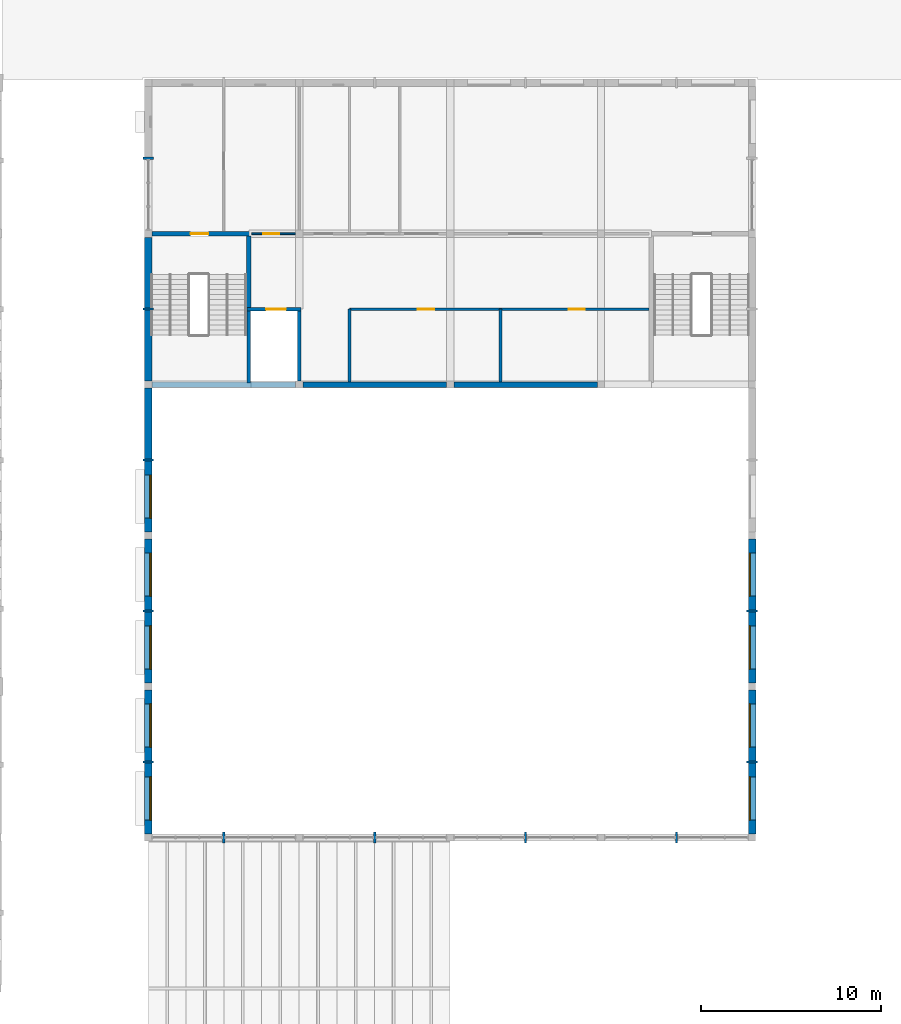
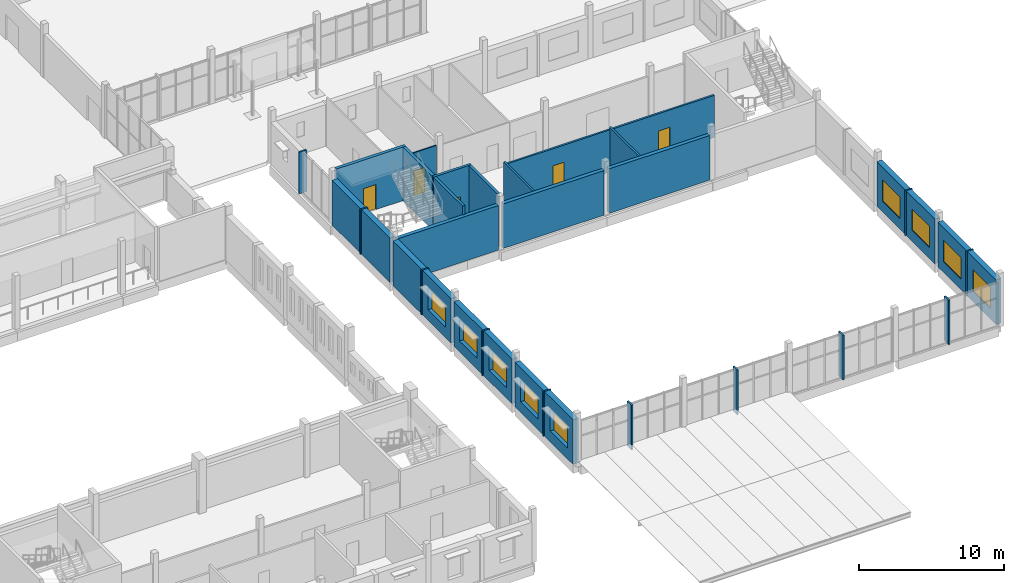
# One storey, part 45 of 60: 35 walls, 9 windows, 5 doors, 14 openings.
"""IFC4 building model written with IfcOpenShell, lengths in metres."""

from ifc_helpers import new_model, si_unit, direction, frame, frame_2d, origin, place, context, subcontext, project, spatial, rectangle, extrude, material, layer, layer_set, type_object, element, fill, save


model = new_model("IFC4")

# Units and contexts
model_context = context("Model", 3, precision=1e-05, world=origin(), true_north=direction((0.0, 1.0)))
body_context = subcontext(model_context, "Body", "Model", "MODEL_VIEW")
ifc_project = project(units=[si_unit("LENGTHUNIT", "METRE"), si_unit("AREAUNIT", "SQUARE_METRE"), si_unit("VOLUMEUNIT", "CUBIC_METRE"), si_unit("PLANEANGLEUNIT", "RADIAN"), si_unit("MASSUNIT", "GRAM", prefix="KILO")], contexts=[model_context])

# Site, building, storey
site_placement = place(None, origin())
site = spatial("IfcSite", under=ifc_project, at=site_placement, CompositionType="ELEMENT")
building_placement = place(site_placement, origin())
building = spatial("IfcBuilding", under=site, at=building_placement, Name="Fescue Hill Polytechnic", CompositionType="ELEMENT")
storey_placement = place(building_placement, frame((0.0, 0.0, 4.5)))
storey = spatial("IfcBuildingStorey", under=building, at=storey_placement, Name="L01", CompositionType="ELEMENT", Elevation=4.5)

# Wall, opening, door
ifc_material_1 = material(Name="Concrete 40 MPa", Category="concrete")
ifc_layer_1 = layer(ifc_material_1, 0.25)
ifc_layer_set_1 = layer_set([ifc_layer_1], Name="Concrete 40 MPa")
wall_type_1 = type_object("IfcWallType", Name="Core wall 250", PredefinedType="SHEAR", material=ifc_layer_set_1)
wall_1_placement = place(storey_placement, frame((126.199951171875, 42.0, 0.0), z_axis=(0.0, 0.0, 1.0), x_axis=(1.0, 0.0, 0.0)))
wall_1 = element("IfcWall", 1, at=wall_1_placement, inside=storey, type_object=wall_type_1, Name="CW-L01-ST-V3-1-21", PredefinedType="SHEAR", context=body_context, shape_type="SweptSolid", body=[
    extrude(rectangle(XDim=5.525146484375, YDim=0.25, at=frame_2d((2.7626953125, 0.0))), origin(), (0.0, 0.0, 1.0), 4.5),
])
opening_1_placement = place(wall_1_placement, frame((2.14990234375, 0.0, 0.0)))
opening_1 = element("IfcOpeningElement", 2, at=opening_1_placement, cuts=wall_1, Name="Opening D1086", PredefinedType="OPENING", context=body_context, shape_type="SweptSolid", body=[
    extrude(rectangle(XDim=1.0, YDim=2.10009765625, at=frame_2d((0.5, 1.050048828125))), frame((0.0, 0.135009765625, 0.0), z_axis=(0.0, -1.0, 0.0), x_axis=(1.0, 0.0, 0.0)), (0.0, 0.0, 1.0), 0.27001953125),
])
ifc_material_2 = material(Name="Steel fire door", Category="steel")
door_type_1 = type_object("IfcDoorType", Name="Door single swing 1000x2100 stair fire rated", OperationType="NOTDEFINED", PredefinedType="DOOR", material=ifc_material_2)
door_1_placement = place(opening_1_placement, origin())
door_1 = element("IfcDoor", 3, at=door_1_placement, inside=storey, type_object=door_type_1, Name="L01 ST-V3-1 stair door", OperationType="SINGLE_SWING_LEFT", OverallHeight=2.10009765625, OverallWidth=1.0, PredefinedType="DOOR", context=body_context, shape_type="SweptSolid", body=[
    extrude(rectangle(XDim=1.0, YDim=2.10009765625, at=frame_2d((0.5, 1.050048828125))), frame((0.0, 0.02490234375, 0.0), z_axis=(0.0, -1.0, 0.0), x_axis=(1.0, 0.0, 0.0)), (0.0, 0.0, 1.0), 0.050048828125),
])
fill(opening_1, door_1)

# Wall
wall_2_placement = place(storey_placement, frame((131.60009765625, 37.81005859375, 0.0), z_axis=(0.0, 0.0, 1.0), x_axis=(0.0, 1.0, 0.0)))
element("IfcWall", 4, at=wall_2_placement, inside=storey, type_object=wall_type_1, Name="CW-L01-ST-V3-1-41", PredefinedType="SHEAR", context=body_context, shape_type="SweptSolid", body=[
    extrude(rectangle(XDim=4.06494140625, YDim=0.25, at=frame_2d((2.032470703125, 0.0))), origin(), (0.0, 0.0, 1.0), 4.5),
])

# Wall, openings, doors
ifc_material_3 = material(Name="Gypsum board partition")
ifc_layer_2 = layer(ifc_material_3, 0.14990234375)
ifc_layer_set_2 = layer_set([ifc_layer_2], Name="Gypsum board partition")
wall_type_2 = type_object("IfcWallType", Name="Corridor wall 150 EI 45", PredefinedType="PARTITIONING", material=ifc_layer_set_2)
wall_3_placement = place(storey_placement, frame((137.199951171875, 37.800048828125, 0.0), z_axis=(0.0, 0.0, 1.0), x_axis=(1.0, 0.0, 0.0)))
wall_3 = element("IfcWall", 5, at=wall_3_placement, inside=storey, type_object=wall_type_2, Name="IW-L01-022", PredefinedType="PARTITIONING", context=body_context, shape_type="SweptSolid", body=[
    extrude(rectangle(XDim=16.650146484375, YDim=0.14990234375, at=frame_2d((8.3251953125, 0.0))), origin(), (0.0, 0.0, 1.0), 3.550048828125),
])
opening_2_placement = place(wall_3_placement, frame((3.800048828125, 0.0, 0.0)))
opening_2 = element("IfcOpeningElement", 6, at=opening_2_placement, cuts=wall_3, Name="Opening D1045", PredefinedType="OPENING", context=body_context, shape_type="SweptSolid", body=[
    extrude(rectangle(XDim=0.89990234375, YDim=2.10009765625, at=frame_2d((0.449951171875, 1.050048828125))), frame((0.0, 0.0849609375, 0.0), z_axis=(0.0, -1.0, 0.0), x_axis=(1.0, 0.0, 0.0)), (0.0, 0.0, 1.0), 0.169921875),
])
opening_3_placement = place(wall_3_placement, frame((12.199951171875, 0.0, 0.0)))
opening_3 = element("IfcOpeningElement", 7, at=opening_3_placement, cuts=wall_3, Name="Opening D1046", PredefinedType="OPENING", context=body_context, shape_type="SweptSolid", body=[
    extrude(rectangle(XDim=0.89990234375, YDim=2.10009765625, at=frame_2d((0.449951171875, 1.050048828125))), frame((0.0, 0.0849609375, 0.0), z_axis=(0.0, -1.0, 0.0), x_axis=(1.0, 0.0, 0.0)), (0.0, 0.0, 1.0), 0.169921875),
])
ifc_material_4 = material(Name="Timber", Category="wood")
door_type_2 = type_object("IfcDoorType", Name="Door single swing 900x2100 FD30S", OperationType="SINGLE_SWING_LEFT", PredefinedType="DOOR", material=ifc_material_4)
door_2_placement = place(opening_2_placement, origin())
door_2 = element("IfcDoor", 8, at=door_2_placement, inside=storey, type_object=door_type_2, Name="Door D1045", OperationType="SINGLE_SWING_LEFT", OverallHeight=2.10009765625, OverallWidth=0.89990234375, PredefinedType="DOOR", context=body_context, shape_type="SweptSolid", body=[
    extrude(rectangle(XDim=0.89990234375, YDim=2.10009765625, at=frame_2d((0.449951171875, 1.050048828125))), frame((0.0, 0.02490234375, 0.0), z_axis=(0.0, -1.0, 0.0), x_axis=(1.0, 0.0, 0.0)), (0.0, 0.0, 1.0), 0.050048828125),
])
fill(opening_2, door_2)
door_3_placement = place(opening_3_placement, origin())
door_3 = element("IfcDoor", 9, at=door_3_placement, inside=storey, type_object=door_type_2, Name="Door D1046", OperationType="SINGLE_SWING_RIGHT", OverallHeight=2.10009765625, OverallWidth=0.89990234375, PredefinedType="DOOR", context=body_context, shape_type="SweptSolid", body=[
    extrude(rectangle(XDim=0.89990234375, YDim=2.10009765625, at=frame_2d((0.449951171875, 1.050048828125))), frame((0.0, 0.02490234375, 0.0), z_axis=(0.0, -1.0, 0.0), x_axis=(1.0, 0.0, 0.0)), (0.0, 0.0, 1.0), 0.050048828125),
])
fill(opening_3, door_3)

# Wall
ifc_material_5 = material(Name="Clay brick masonry", Category="masonry")
ifc_layer_3 = layer(ifc_material_5, 0.419921875)
ifc_layer_set_3 = layer_set([ifc_layer_3], Name="Clay brick masonry")
wall_type_3 = type_object("IfcWallType", Name="Exterior wall buff-red brick cavity 420", PredefinedType="SOLIDWALL", material=ifc_layer_set_3)
wall_4_placement = place(storey_placement, frame((126.0, 33.39990234375, 0.0), z_axis=(0.0, 0.0, 1.0), x_axis=(0.0, -1.0, 0.0)))
element("IfcWall", 10, at=wall_4_placement, inside=storey, type_object=wall_type_3, Name="EW-L01-V3-21", PredefinedType="SOLIDWALL", context=body_context, shape_type="SweptSolid", body=[
    extrude(rectangle(XDim=3.93994140625, YDim=0.419921875, at=frame_2d((1.969970703125, 0.0))), origin(), (0.0, 0.0, 1.0), 3.75),
])

# Wall, opening, window
wall_5_placement = place(storey_placement, frame((126.0, 29.340087890625, 0.0), z_axis=(0.0, 0.0, 1.0), x_axis=(0.0, -1.0, 0.0)))
wall_5 = element("IfcWall", 11, at=wall_5_placement, inside=storey, type_object=wall_type_3, Name="EW-L01-V3-22", PredefinedType="SOLIDWALL", context=body_context, shape_type="SweptSolid", body=[
    extrude(rectangle(XDim=3.940185546875, YDim=0.419921875, at=frame_2d((1.97021484375, 0.0))), origin(), (0.0, 0.0, 1.0), 3.75),
])
opening_4_placement = place(wall_5_placement, frame((0.77001953125, 0.0, 0.89990234375)))
opening_4 = element("IfcOpeningElement", 12, at=opening_4_placement, cuts=wall_5, Name="Opening W8", PredefinedType="OPENING", context=body_context, shape_type="SweptSolid", body=[
    extrude(rectangle(XDim=2.39990234375, YDim=1.800048828125, at=frame_2d((1.199951171875, 0.89990234375))), frame((0.0, 0.219970703125, 0.0), z_axis=(0.0, -1.0, 0.0), x_axis=(1.0, 0.0, 0.0)), (0.0, 0.0, 1.0), 0.43994140625),
])
ifc_material_6 = material(Name="Powder-coated aluminium and glass", Category="aluminium")
window_type = type_object("IfcWindowType", Name="Window union 2400x1800", PartitioningType="TRIPLE_PANEL_VERTICAL", PredefinedType="WINDOW", material=ifc_material_6)
window_1_placement = place(opening_4_placement, origin())
window_1 = element("IfcWindow", 13, at=window_1_placement, inside=storey, type_object=window_type, Name="WN-L01-V3-10", OverallHeight=1.800048828125, OverallWidth=2.39990234375, PartitioningType="SINGLE_PANEL", PredefinedType="WINDOW", context=body_context, shape_type="SweptSolid", body=[
    extrude(rectangle(XDim=2.39990234375, YDim=1.800048828125, at=frame_2d((1.199951171875, 0.89990234375))), frame((0.0, 0.150146484375, 0.0), z_axis=(0.0, -1.0, 0.0), x_axis=(1.0, 0.0, 0.0)), (0.0, 0.0, 1.0), 0.06005859375),
])
fill(opening_4, window_1)

wall_6_placement = place(storey_placement, frame((126.0, 25.0, 0.0), z_axis=(0.0, 0.0, 1.0), x_axis=(0.0, -1.0, 0.0)))
wall_6 = element("IfcWall", 14, at=wall_6_placement, inside=storey, type_object=wall_type_3, Name="EW-L01-V3-23", PredefinedType="SOLIDWALL", context=body_context, shape_type="SweptSolid", body=[
    extrude(rectangle(XDim=3.93994140625, YDim=0.419921875, at=frame_2d((1.969970703125, 0.0))), origin(), (0.0, 0.0, 1.0), 3.75),
])
opening_5_placement = place(wall_6_placement, frame((0.77001953125, 0.0, 0.89990234375)))
opening_5 = element("IfcOpeningElement", 15, at=opening_5_placement, cuts=wall_6, Name="Opening W8", PredefinedType="OPENING", context=body_context, shape_type="SweptSolid", body=[
    extrude(rectangle(XDim=2.39990234375, YDim=1.800048828125, at=frame_2d((1.199951171875, 0.89990234375))), frame((0.0, 0.219970703125, 0.0), z_axis=(0.0, -1.0, 0.0), x_axis=(1.0, 0.0, 0.0)), (0.0, 0.0, 1.0), 0.43994140625),
])
window_2_placement = place(opening_5_placement, origin())
window_2 = element("IfcWindow", 16, at=window_2_placement, inside=storey, type_object=window_type, Name="WN-L01-V3-11", OverallHeight=1.800048828125, OverallWidth=2.39990234375, PartitioningType="SINGLE_PANEL", PredefinedType="WINDOW", context=body_context, shape_type="SweptSolid", body=[
    extrude(rectangle(XDim=2.39990234375, YDim=1.800048828125, at=frame_2d((1.199951171875, 0.89990234375))), frame((0.0, 0.150146484375, 0.0), z_axis=(0.0, -1.0, 0.0), x_axis=(1.0, 0.0, 0.0)), (0.0, 0.0, 1.0), 0.06005859375),
])
fill(opening_5, window_2)

wall_7_placement = place(storey_placement, frame((126.0, 20.93994140625, 0.0), z_axis=(0.0, 0.0, 1.0), x_axis=(0.0, -1.0, 0.0)))
wall_7 = element("IfcWall", 17, at=wall_7_placement, inside=storey, type_object=wall_type_3, Name="EW-L01-V3-24", PredefinedType="SOLIDWALL", context=body_context, shape_type="SweptSolid", body=[
    extrude(rectangle(XDim=3.93994140625, YDim=0.419921875, at=frame_2d((1.969970703125, 0.0))), origin(), (0.0, 0.0, 1.0), 3.75),
])
opening_6_placement = place(wall_7_placement, frame((0.77001953125, 0.0, 0.89990234375)))
opening_6 = element("IfcOpeningElement", 18, at=opening_6_placement, cuts=wall_7, Name="Opening W8", PredefinedType="OPENING", context=body_context, shape_type="SweptSolid", body=[
    extrude(rectangle(XDim=2.39990234375, YDim=1.800048828125, at=frame_2d((1.199951171875, 0.89990234375))), frame((0.0, 0.219970703125, 0.0), z_axis=(0.0, -1.0, 0.0), x_axis=(1.0, 0.0, 0.0)), (0.0, 0.0, 1.0), 0.43994140625),
])
window_3_placement = place(opening_6_placement, origin())
window_3 = element("IfcWindow", 19, at=window_3_placement, inside=storey, type_object=window_type, Name="WN-L01-V3-12", OverallHeight=1.800048828125, OverallWidth=2.39990234375, PartitioningType="SINGLE_PANEL", PredefinedType="WINDOW", context=body_context, shape_type="SweptSolid", body=[
    extrude(rectangle(XDim=2.39990234375, YDim=1.800048828125, at=frame_2d((1.199951171875, 0.89990234375))), frame((0.0, 0.150146484375, 0.0), z_axis=(0.0, -1.0, 0.0), x_axis=(1.0, 0.0, 0.0)), (0.0, 0.0, 1.0), 0.06005859375),
])
fill(opening_6, window_3)

wall_8_placement = place(storey_placement, frame((126.0, 16.60009765625, 0.0), z_axis=(0.0, 0.0, 1.0), x_axis=(0.0, -1.0, 0.0)))
wall_8 = element("IfcWall", 20, at=wall_8_placement, inside=storey, type_object=wall_type_3, Name="EW-L01-V3-25", PredefinedType="SOLIDWALL", context=body_context, shape_type="SweptSolid", body=[
    extrude(rectangle(XDim=3.940185546875, YDim=0.419921875, at=frame_2d((1.97021484375, 0.0))), origin(), (0.0, 0.0, 1.0), 3.75),
])
opening_7_placement = place(wall_8_placement, frame((0.77001953125, 0.0, 0.89990234375)))
opening_7 = element("IfcOpeningElement", 21, at=opening_7_placement, cuts=wall_8, Name="Opening W8", PredefinedType="OPENING", context=body_context, shape_type="SweptSolid", body=[
    extrude(rectangle(XDim=2.39990234375, YDim=1.800048828125, at=frame_2d((1.199951171875, 0.89990234375))), frame((0.0, 0.219970703125, 0.0), z_axis=(0.0, -1.0, 0.0), x_axis=(1.0, 0.0, 0.0)), (0.0, 0.0, 1.0), 0.43994140625),
])
window_4_placement = place(opening_7_placement, origin())
window_4 = element("IfcWindow", 22, at=window_4_placement, inside=storey, type_object=window_type, Name="WN-L01-V3-13", OverallHeight=1.800048828125, OverallWidth=2.39990234375, PartitioningType="SINGLE_PANEL", PredefinedType="WINDOW", context=body_context, shape_type="SweptSolid", body=[
    extrude(rectangle(XDim=2.39990234375, YDim=1.800048828125, at=frame_2d((1.199951171875, 0.89990234375))), frame((0.0, 0.150146484375, 0.0), z_axis=(0.0, -1.0, 0.0), x_axis=(1.0, 0.0, 0.0)), (0.0, 0.0, 1.0), 0.06005859375),
])
fill(opening_7, window_4)

wall_9_placement = place(storey_placement, frame((126.0, 12.5400390625, 0.0), z_axis=(0.0, 0.0, 1.0), x_axis=(0.0, -1.0, 0.0)))
wall_9 = element("IfcWall", 23, at=wall_9_placement, inside=storey, type_object=wall_type_3, Name="EW-L01-V3-26", PredefinedType="SOLIDWALL", context=body_context, shape_type="SweptSolid", body=[
    extrude(rectangle(XDim=3.93994140625, YDim=0.419921875, at=frame_2d((1.969970703125, 0.0))), origin(), (0.0, 0.0, 1.0), 3.75),
])
opening_8_placement = place(wall_9_placement, frame((0.77001953125, 0.0, 0.89990234375)))
opening_8 = element("IfcOpeningElement", 24, at=opening_8_placement, cuts=wall_9, Name="Opening W8", PredefinedType="OPENING", context=body_context, shape_type="SweptSolid", body=[
    extrude(rectangle(XDim=2.39990234375, YDim=1.800048828125, at=frame_2d((1.199951171875, 0.89990234375))), frame((0.0, 0.219970703125, 0.0), z_axis=(0.0, -1.0, 0.0), x_axis=(1.0, 0.0, 0.0)), (0.0, 0.0, 1.0), 0.43994140625),
])
window_5_placement = place(opening_8_placement, origin())
window_5 = element("IfcWindow", 25, at=window_5_placement, inside=storey, type_object=window_type, Name="WN-L01-V3-14", OverallHeight=1.800048828125, OverallWidth=2.39990234375, PartitioningType="SINGLE_PANEL", PredefinedType="WINDOW", context=body_context, shape_type="SweptSolid", body=[
    extrude(rectangle(XDim=2.39990234375, YDim=1.800048828125, at=frame_2d((1.199951171875, 0.89990234375))), frame((0.0, 0.150146484375, 0.0), z_axis=(0.0, -1.0, 0.0), x_axis=(1.0, 0.0, 0.0)), (0.0, 0.0, 1.0), 0.06005859375),
])
fill(opening_8, window_5)

wall_10_placement = place(storey_placement, frame((159.60009765625, 8.60009765625, 0.0), z_axis=(0.0, 0.0, 1.0), x_axis=(0.0, 1.0, 0.0)))
wall_10 = element("IfcWall", 26, at=wall_10_placement, inside=storey, type_object=wall_type_3, Name="EW-L01-V3-27", PredefinedType="SOLIDWALL", context=body_context, shape_type="SweptSolid", body=[
    extrude(rectangle(XDim=3.93994140625, YDim=0.419921875, at=frame_2d((1.969970703125, 0.0))), origin(), (0.0, 0.0, 1.0), 3.75),
])
opening_9_placement = place(wall_10_placement, frame((0.77001953125, 0.0, 0.89990234375)))
opening_9 = element("IfcOpeningElement", 27, at=opening_9_placement, cuts=wall_10, Name="Opening W8", PredefinedType="OPENING", context=body_context, shape_type="SweptSolid", body=[
    extrude(rectangle(XDim=2.39990234375, YDim=1.800048828125, at=frame_2d((1.199951171875, 0.89990234375))), frame((0.0, 0.219970703125, 0.0), z_axis=(0.0, -1.0, 0.0), x_axis=(1.0, 0.0, 0.0)), (0.0, 0.0, 1.0), 0.43994140625),
])
window_6_placement = place(opening_9_placement, origin())
window_6 = element("IfcWindow", 28, at=window_6_placement, inside=storey, type_object=window_type, Name="WN-L01-V3-15", OverallHeight=1.800048828125, OverallWidth=2.39990234375, PartitioningType="SINGLE_PANEL", PredefinedType="WINDOW", context=body_context, shape_type="SweptSolid", body=[
    extrude(rectangle(XDim=2.39990234375, YDim=1.800048828125, at=frame_2d((1.199951171875, 0.89990234375))), frame((0.0, 0.150146484375, 0.0), z_axis=(0.0, -1.0, 0.0), x_axis=(1.0, 0.0, 0.0)), (0.0, 0.0, 1.0), 0.06005859375),
])
fill(opening_9, window_6)

wall_11_placement = place(storey_placement, frame((159.60009765625, 12.659912109375, 0.0), z_axis=(0.0, 0.0, 1.0), x_axis=(0.0, 1.0, 0.0)))
wall_11 = element("IfcWall", 29, at=wall_11_placement, inside=storey, type_object=wall_type_3, Name="EW-L01-V3-28", PredefinedType="SOLIDWALL", context=body_context, shape_type="SweptSolid", body=[
    extrude(rectangle(XDim=3.940185546875, YDim=0.419921875, at=frame_2d((1.97021484375, 0.0))), origin(), (0.0, 0.0, 1.0), 3.75),
])
opening_10_placement = place(wall_11_placement, frame((0.77001953125, 0.0, 0.89990234375)))
opening_10 = element("IfcOpeningElement", 30, at=opening_10_placement, cuts=wall_11, Name="Opening W8", PredefinedType="OPENING", context=body_context, shape_type="SweptSolid", body=[
    extrude(rectangle(XDim=2.39990234375, YDim=1.800048828125, at=frame_2d((1.199951171875, 0.89990234375))), frame((0.0, 0.219970703125, 0.0), z_axis=(0.0, -1.0, 0.0), x_axis=(1.0, 0.0, 0.0)), (0.0, 0.0, 1.0), 0.43994140625),
])
window_7_placement = place(opening_10_placement, origin())
window_7 = element("IfcWindow", 31, at=window_7_placement, inside=storey, type_object=window_type, Name="WN-L01-V3-16", OverallHeight=1.800048828125, OverallWidth=2.39990234375, PartitioningType="SINGLE_PANEL", PredefinedType="WINDOW", context=body_context, shape_type="SweptSolid", body=[
    extrude(rectangle(XDim=2.39990234375, YDim=1.800048828125, at=frame_2d((1.199951171875, 0.89990234375))), frame((0.0, 0.150146484375, 0.0), z_axis=(0.0, -1.0, 0.0), x_axis=(1.0, 0.0, 0.0)), (0.0, 0.0, 1.0), 0.06005859375),
])
fill(opening_10, window_7)

wall_12_placement = place(storey_placement, frame((159.60009765625, 17.0, 0.0), z_axis=(0.0, 0.0, 1.0), x_axis=(0.0, 1.0, 0.0)))
wall_12 = element("IfcWall", 32, at=wall_12_placement, inside=storey, type_object=wall_type_3, Name="EW-L01-V3-29", PredefinedType="SOLIDWALL", context=body_context, shape_type="SweptSolid", body=[
    extrude(rectangle(XDim=3.93994140625, YDim=0.419921875, at=frame_2d((1.969970703125, 0.0))), origin(), (0.0, 0.0, 1.0), 3.75),
])
opening_11_placement = place(wall_12_placement, frame((0.77001953125, 0.0, 0.89990234375)))
opening_11 = element("IfcOpeningElement", 33, at=opening_11_placement, cuts=wall_12, Name="Opening W8", PredefinedType="OPENING", context=body_context, shape_type="SweptSolid", body=[
    extrude(rectangle(XDim=2.39990234375, YDim=1.800048828125, at=frame_2d((1.199951171875, 0.89990234375))), frame((0.0, 0.219970703125, 0.0), z_axis=(0.0, -1.0, 0.0), x_axis=(1.0, 0.0, 0.0)), (0.0, 0.0, 1.0), 0.43994140625),
])
window_8_placement = place(opening_11_placement, origin())
window_8 = element("IfcWindow", 34, at=window_8_placement, inside=storey, type_object=window_type, Name="WN-L01-V3-17", OverallHeight=1.800048828125, OverallWidth=2.39990234375, PartitioningType="SINGLE_PANEL", PredefinedType="WINDOW", context=body_context, shape_type="SweptSolid", body=[
    extrude(rectangle(XDim=2.39990234375, YDim=1.800048828125, at=frame_2d((1.199951171875, 0.89990234375))), frame((0.0, 0.150146484375, 0.0), z_axis=(0.0, -1.0, 0.0), x_axis=(1.0, 0.0, 0.0)), (0.0, 0.0, 1.0), 0.06005859375),
])
fill(opening_11, window_8)

wall_13_placement = place(storey_placement, frame((159.60009765625, 21.06005859375, 0.0), z_axis=(0.0, 0.0, 1.0), x_axis=(0.0, 1.0, 0.0)))
wall_13 = element("IfcWall", 35, at=wall_13_placement, inside=storey, type_object=wall_type_3, Name="EW-L01-V3-30", PredefinedType="SOLIDWALL", context=body_context, shape_type="SweptSolid", body=[
    extrude(rectangle(XDim=3.93994140625, YDim=0.419921875, at=frame_2d((1.969970703125, 0.0))), origin(), (0.0, 0.0, 1.0), 3.75),
])
opening_12_placement = place(wall_13_placement, frame((0.77001953125, 0.0, 0.89990234375)))
opening_12 = element("IfcOpeningElement", 36, at=opening_12_placement, cuts=wall_13, Name="Opening W8", PredefinedType="OPENING", context=body_context, shape_type="SweptSolid", body=[
    extrude(rectangle(XDim=2.39990234375, YDim=1.800048828125, at=frame_2d((1.199951171875, 0.89990234375))), frame((0.0, 0.219970703125, 0.0), z_axis=(0.0, -1.0, 0.0), x_axis=(1.0, 0.0, 0.0)), (0.0, 0.0, 1.0), 0.43994140625),
])
window_9_placement = place(opening_12_placement, origin())
window_9 = element("IfcWindow", 37, at=window_9_placement, inside=storey, type_object=window_type, Name="WN-L01-V3-18", OverallHeight=1.800048828125, OverallWidth=2.39990234375, PartitioningType="SINGLE_PANEL", PredefinedType="WINDOW", context=body_context, shape_type="SweptSolid", body=[
    extrude(rectangle(XDim=2.39990234375, YDim=1.800048828125, at=frame_2d((1.199951171875, 0.89990234375))), frame((0.0, 0.150146484375, 0.0), z_axis=(0.0, -1.0, 0.0), x_axis=(1.0, 0.0, 0.0)), (0.0, 0.0, 1.0), 0.06005859375),
])
fill(opening_12, window_9)

# Walls
ifc_layer_4 = layer(ifc_material_5, 0.419921875)
ifc_layer_set_4 = layer_set([ifc_layer_4], Name="Clay brick masonry")
wall_type_4 = type_object("IfcWallType", Name="Exterior wall buff-red brick cavity 420 load-bearing", PredefinedType="SOLIDWALL", material=ifc_layer_set_4)
for number, where, z_axis, x_axis, name in (
    (38, (126.0, 41.800048828125, 0.0), (0.0, 0.0, 1.0), (0.0, -1.0, 0.0), "EW-L01-V3-3"),
    (39, (126.0, 37.739990234375, 0.0), (0.0, 0.0, 1.0), (0.0, -1.0, 0.0), "EW-L01-V3-4"),
):
    element("IfcWall", number, at=place(storey_placement, frame(where, z_axis=z_axis, x_axis=x_axis)), inside=storey, type_object=wall_type_4, Name=name, PredefinedType="SOLIDWALL", context=body_context, shape_type="SweptSolid", body=[
        extrude(rectangle(XDim=3.93994140625, YDim=0.419921875, at=frame_2d((1.969970703125, 0.0))), origin(), (0.0, 0.0, 1.0), 3.75),
    ])
ifc_layer_5 = layer(ifc_material_1, 0.300048828125)
ifc_layer_set_5 = layer_set([ifc_layer_5], Name="Concrete 40 MPa")
wall_type_5 = type_object("IfcWallType", Name="Hall wall concrete 300 fire rated", PredefinedType="SOLIDWALL", material=ifc_layer_set_5)
for number, where, z_axis, x_axis, name in (
    (40, (134.60009765625, 33.60009765625, 0.0), (0.0, 0.0, 1.0), (1.0, 0.0, 0.0), "EW-L01-V3-6"),
    (41, (143.0, 33.60009765625, 0.0), (0.0, 0.0, 1.0), (1.0, 0.0, 0.0), "EW-L01-V3-7"),
):
    element("IfcWall", number, at=place(storey_placement, frame(where, z_axis=z_axis, x_axis=x_axis)), inside=storey, type_object=wall_type_5, Name=name, PredefinedType="SOLIDWALL", context=body_context, shape_type="SweptSolid", body=[
        extrude(rectangle(XDim=8.0, YDim=0.300048828125, at=frame_2d((4.0, 0.0))), origin(), (0.0, 0.0, 1.0), 3.75),
    ])
ifc_layer_6 = layer(ifc_material_1, 0.300048828125)
ifc_layer_set_6 = layer_set([ifc_layer_6], Name="Concrete 40 MPa")
wall_type_6 = type_object("IfcWallType", Name="Hall wall concrete 300 load-bearing REI 120", PredefinedType="SOLIDWALL", material=ifc_layer_set_6)
wall_14_placement = place(storey_placement, frame((126.199951171875, 33.60009765625, 0.0), z_axis=(0.0, 0.0, 1.0), x_axis=(1.0, 0.0, 0.0)))
element("IfcWall", 42, at=wall_14_placement, inside=storey, type_object=wall_type_6, Name="EW-L01-V3-5", PredefinedType="SOLIDWALL", context=body_context, shape_type="SweptSolid", body=[
    extrude(rectangle(XDim=8.0, YDim=0.300048828125, at=frame_2d((4.0, 0.0))), origin(), (0.0, 0.0, 1.0), 3.75),
])

# Wall, opening, door
ifc_layer_7 = layer(ifc_material_1, 0.199951171875)
ifc_layer_set_7 = layer_set([ifc_layer_7], Name="Concrete 40 MPa")
wall_type_7 = type_object("IfcWallType", Name="Lift shaft wall 200", PredefinedType="SHEAR", material=ifc_layer_set_7)
wall_15_placement = place(storey_placement, frame((131.5, 37.800048828125, 0.0), z_axis=(0.0, 0.0, 1.0), x_axis=(1.0, 0.0, 0.0)))
wall_15 = element("IfcWall", 43, at=wall_15_placement, inside=storey, type_object=wall_type_7, Name="CW-L01-LF-V3-1-21", PredefinedType="SHEAR", context=body_context, shape_type="SweptSolid", body=[
    extrude(rectangle(XDim=3.0, YDim=0.199951171875, at=frame_2d((1.5, 0.0))), origin(), (0.0, 0.0, 1.0), 4.5),
])
opening_13_placement = place(wall_15_placement, frame((1.050048828125, 0.0, 0.0)))
opening_13 = element("IfcOpeningElement", 44, at=opening_13_placement, cuts=wall_15, Name="Opening LD2-L01", PredefinedType="OPENING", context=body_context, shape_type="SweptSolid", body=[
    extrude(rectangle(XDim=1.10009765625, YDim=2.10009765625, at=frame_2d((0.550048828125, 1.050048828125))), frame((0.0, 0.10986328125, 0.0), z_axis=(0.0, -1.0, 0.0), x_axis=(1.0, 0.0, 0.0)), (0.0, 0.0, 1.0), 0.219970703125),
])
ifc_material_7 = material(Name="Stainless steel", Category="steel")
door_type_3 = type_object("IfcDoorType", Name="Lift landing door sliding 1100x2100", OperationType="SLIDING_TO_LEFT", PredefinedType="DOOR", material=ifc_material_7)
door_4_placement = place(opening_13_placement, origin())
door_4 = element("IfcDoor", 45, at=door_4_placement, inside=storey, type_object=door_type_3, Name="L01 LF-V3-1 lift landing door", OperationType="SLIDING_TO_LEFT", OverallHeight=2.10009765625, OverallWidth=1.10009765625, PredefinedType="DOOR", context=body_context, shape_type="SweptSolid", body=[
    extrude(rectangle(XDim=1.10009765625, YDim=2.10009765625, at=frame_2d((0.550048828125, 1.050048828125))), frame((0.0, 0.02490234375, 0.0), z_axis=(0.0, -1.0, 0.0), x_axis=(1.0, 0.0, 0.0)), (0.0, 0.0, 1.0), 0.050048828125),
])
fill(opening_13, door_4)

# Walls
wall_16_placement = place(storey_placement, frame((131.60009765625, 33.699951171875, 0.0), z_axis=(0.0, 0.0, 1.0), x_axis=(0.0, 1.0, 0.0)))
element("IfcWall", 46, at=wall_16_placement, inside=storey, type_object=wall_type_7, Name="CW-L01-LF-V3-1-31", PredefinedType="SHEAR", context=body_context, shape_type="SweptSolid", body=[
    extrude(rectangle(XDim=4.0, YDim=0.199951171875, at=frame_2d((2.0, 0.0))), origin(), (0.0, 0.0, 1.0), 4.5),
])
wall_17_placement = place(storey_placement, frame((134.39990234375, 33.800048828125, 0.0), z_axis=(0.0, 0.0, 1.0), x_axis=(0.0, 1.0, 0.0)))
element("IfcWall", 47, at=wall_17_placement, inside=storey, type_object=wall_type_7, Name="CW-L01-LF-V3-1-41", PredefinedType="SHEAR", context=body_context, shape_type="SweptSolid", body=[
    extrude(rectangle(XDim=3.89990234375, YDim=0.199951171875, at=frame_2d((1.949951171875, 0.0))), origin(), (0.0, 0.0, 1.0), 4.5),
])
ifc_layer_8 = layer(ifc_material_3, 0.14990234375)
ifc_layer_set_8 = layer_set([ifc_layer_8], Name="Gypsum board partition")
wall_type_8 = type_object("IfcWallType", Name="Lobby wall 150 EI 60", PredefinedType="PARTITIONING", material=ifc_layer_set_8)
wall_18_placement = place(storey_placement, frame((137.199951171875, 33.75, 0.0), z_axis=(0.0, 0.0, 1.0), x_axis=(0.0, 1.0, 0.0)))
element("IfcWall", 48, at=wall_18_placement, inside=storey, type_object=wall_type_8, Name="IW-L01-105", PredefinedType="PARTITIONING", context=body_context, shape_type="SweptSolid", body=[
    extrude(rectangle(XDim=4.050048828125, YDim=0.14990234375, at=frame_2d((2.02490234375, 0.0))), origin(), (0.0, 0.0, 1.0), 3.75),
])
ifc_layer_9 = layer(ifc_material_3, 0.14990234375)
ifc_layer_set_9 = layer_set([ifc_layer_9], Name="Gypsum board partition")
wall_type_9 = type_object("IfcWallType", Name="Partition stud 150 acoustic", PredefinedType="PARTITIONING", material=ifc_layer_set_9)
wall_19_placement = place(storey_placement, frame((145.60009765625, 33.75, 0.0), z_axis=(0.0, 0.0, 1.0), x_axis=(0.0, 1.0, 0.0)))
element("IfcWall", 49, at=wall_19_placement, inside=storey, type_object=wall_type_9, Name="IW-L01-108", PredefinedType="PARTITIONING", context=body_context, shape_type="SweptSolid", body=[
    extrude(rectangle(XDim=4.050048828125, YDim=0.14990234375, at=frame_2d((2.02490234375, 0.0))), origin(), (0.0, 0.0, 1.0), 3.75),
])
ifc_material_8 = material(Name="Glulam 24f-EX", Category="wood")
ifc_layer_10 = layer(ifc_material_8, 0.60009765625)
ifc_layer_set_10 = layer_set([ifc_layer_10], Name="Glulam 24f-EX")
wall_type_10 = type_object("IfcWallType", Name="Timber fin 120x600", PredefinedType="SOLIDWALL", material=ifc_layer_set_10)
wall_20_placement = place(storey_placement, frame((126.0, 46.260009765625, 0.0), z_axis=(0.0, 0.0, 1.0), x_axis=(0.0, -1.0, 0.0)))
element("IfcWall", 50, at=wall_20_placement, inside=storey, type_object=wall_type_10, Name="PR-L01-V3-1", PredefinedType="SOLIDWALL", context=body_context, shape_type="SweptSolid", body=[
    extrude(rectangle(XDim=0.1201171875, YDim=0.60009765625, at=frame_2d((0.06005859375, 0.0))), origin(), (0.0, 0.0, 1.0), 3.5),
])
wall_21_placement = place(storey_placement, frame((126.0, 37.860107421875, 0.0), z_axis=(0.0, 0.0, 1.0), x_axis=(0.0, -1.0, 0.0)))
element("IfcWall", 51, at=wall_21_placement, inside=storey, type_object=wall_type_10, Name="PR-L01-V3-2", PredefinedType="SOLIDWALL", context=body_context, shape_type="SweptSolid", body=[
    extrude(rectangle(XDim=0.1201171875, YDim=0.60009765625, at=frame_2d((0.06005859375, 0.0))), origin(), (0.0, 0.0, 1.0), 3.75),
])
wall_22_placement = place(storey_placement, frame((126.0, 29.4599609375, 0.0), z_axis=(0.0, 0.0, 1.0), x_axis=(0.0, -1.0, 0.0)))
element("IfcWall", 52, at=wall_22_placement, inside=storey, type_object=wall_type_10, Name="PR-L01-V3-9", PredefinedType="SOLIDWALL", context=body_context, shape_type="SweptSolid", body=[
    extrude(rectangle(XDim=0.119873046875, YDim=0.60009765625, at=frame_2d((0.06005859375, 0.0))), origin(), (0.0, 0.0, 1.0), 3.75),
])
wall_23_placement = place(storey_placement, frame((126.0, 21.06005859375, 0.0), z_axis=(0.0, 0.0, 1.0), x_axis=(0.0, -1.0, 0.0)))
element("IfcWall", 53, at=wall_23_placement, inside=storey, type_object=wall_type_10, Name="PR-L01-V3-10", PredefinedType="SOLIDWALL", context=body_context, shape_type="SweptSolid", body=[
    extrude(rectangle(XDim=0.1201171875, YDim=0.60009765625, at=frame_2d((0.06005859375, 0.0))), origin(), (0.0, 0.0, 1.0), 3.75),
])
for number, where, z_axis, x_axis, name in (
    (54, (126.0, 12.659912109375, 0.0), (0.0, 0.0, 1.0), (0.0, -1.0, 0.0), "PR-L01-V3-11"),
    (55, (159.60009765625, 12.5400390625, 0.0), (0.0, 0.0, 1.0), (0.0, 1.0, 0.0), "PR-L01-V3-12"),
):
    element("IfcWall", number, at=place(storey_placement, frame(where, z_axis=z_axis, x_axis=x_axis)), inside=storey, type_object=wall_type_10, Name=name, PredefinedType="SOLIDWALL", context=body_context, shape_type="SweptSolid", body=[
        extrude(rectangle(XDim=0.119873046875, YDim=0.60009765625, at=frame_2d((0.06005859375, 0.0))), origin(), (0.0, 0.0, 1.0), 3.75),
    ])
for number, where, z_axis, x_axis, name in (
    (56, (159.60009765625, 20.93994140625, 0.0), (0.0, 0.0, 1.0), (0.0, 1.0, 0.0), "PR-L01-V3-13"),
    (57, (130.139892578125, 8.39990234375, 0.0), (0.0, 0.0, 1.0), (1.0, 0.0, 0.0), "PR-L01-V3-15"),
):
    element("IfcWall", number, at=place(storey_placement, frame(where, z_axis=z_axis, x_axis=x_axis)), inside=storey, type_object=wall_type_10, Name=name, PredefinedType="SOLIDWALL", context=body_context, shape_type="SweptSolid", body=[
        extrude(rectangle(XDim=0.1201171875, YDim=0.60009765625, at=frame_2d((0.06005859375, 0.0))), origin(), (0.0, 0.0, 1.0), 3.75),
    ])
wall_24_placement = place(storey_placement, frame((138.5400390625, 8.39990234375, 0.0), z_axis=(0.0, 0.0, 1.0), x_axis=(1.0, 0.0, 0.0)))
element("IfcWall", 58, at=wall_24_placement, inside=storey, type_object=wall_type_10, Name="PR-L01-V3-16", PredefinedType="SOLIDWALL", context=body_context, shape_type="SweptSolid", body=[
    extrude(rectangle(XDim=0.119873046875, YDim=0.60009765625, at=frame_2d((0.06005859375, 0.0))), origin(), (0.0, 0.0, 1.0), 3.75),
])
wall_25_placement = place(storey_placement, frame((146.93994140625, 8.39990234375, 0.0), z_axis=(0.0, 0.0, 1.0), x_axis=(1.0, 0.0, 0.0)))
element("IfcWall", 59, at=wall_25_placement, inside=storey, type_object=wall_type_10, Name="PR-L01-V3-17", PredefinedType="SOLIDWALL", context=body_context, shape_type="SweptSolid", body=[
    extrude(rectangle(XDim=0.1201171875, YDim=0.60009765625, at=frame_2d((0.06005859375, 0.0))), origin(), (0.0, 0.0, 1.0), 3.75),
])
wall_26_placement = place(storey_placement, frame((155.340087890625, 8.39990234375, 0.0), z_axis=(0.0, 0.0, 1.0), x_axis=(1.0, 0.0, 0.0)))
element("IfcWall", 60, at=wall_26_placement, inside=storey, type_object=wall_type_10, Name="PR-L01-V3-18", PredefinedType="SOLIDWALL", context=body_context, shape_type="SweptSolid", body=[
    extrude(rectangle(XDim=0.119873046875, YDim=0.60009765625, at=frame_2d((0.06005859375, 0.0))), origin(), (0.0, 0.0, 1.0), 3.75),
])

# Wall, opening, door
ifc_layer_11 = layer(ifc_material_3, 0.10009765625)
ifc_layer_set_11 = layer_set([ifc_layer_11], Name="Gypsum board partition")
wall_type_11 = type_object("IfcWallType", Name="WC partition 100 moisture resistant", PredefinedType="PARTITIONING", material=ifc_layer_set_11)
wall_27_placement = place(storey_placement, frame((131.75, 42.0, 0.0), z_axis=(0.0, 0.0, 1.0), x_axis=(1.0, 0.0, 0.0)))
wall_27 = element("IfcWall", 61, at=wall_27_placement, inside=storey, type_object=wall_type_11, Name="IW-L01-026", PredefinedType="PARTITIONING", context=body_context, shape_type="SweptSolid", body=[
    extrude(rectangle(XDim=2.449951171875, YDim=0.10009765625, at=frame_2d((1.22509765625, 0.0))), origin(), (0.0, 0.0, 1.0), 3.64990234375),
])
opening_14_placement = place(wall_27_placement, frame((0.64990234375, 0.0, 0.0)))
opening_14 = element("IfcOpeningElement", 62, at=opening_14_placement, cuts=wall_27, Name="Opening D1048", PredefinedType="OPENING", context=body_context, shape_type="SweptSolid", body=[
    extrude(rectangle(XDim=0.89990234375, YDim=2.10009765625, at=frame_2d((0.449951171875, 1.050048828125))), frame((0.0, 0.06005859375, 0.0), z_axis=(0.0, -1.0, 0.0), x_axis=(1.0, 0.0, 0.0)), (0.0, 0.0, 1.0), 0.1201171875),
])
door_type_4 = type_object("IfcDoorType", Name="Door single swing 900x2100 WC", OperationType="SINGLE_SWING_LEFT", PredefinedType="DOOR", material=ifc_material_4)
door_5_placement = place(opening_14_placement, origin())
door_5 = element("IfcDoor", 63, at=door_5_placement, inside=storey, type_object=door_type_4, Name="Door D1048", OperationType="SINGLE_SWING_LEFT", OverallHeight=2.10009765625, OverallWidth=0.89990234375, PredefinedType="DOOR", context=body_context, shape_type="SweptSolid", body=[
    extrude(rectangle(XDim=0.89990234375, YDim=2.10009765625, at=frame_2d((0.449951171875, 1.050048828125))), frame((0.0, 0.02490234375, 0.0), z_axis=(0.0, -1.0, 0.0), x_axis=(1.0, 0.0, 0.0)), (0.0, 0.0, 1.0), 0.050048828125),
])
fill(opening_14, door_5)

save(model, "model.ifc")
